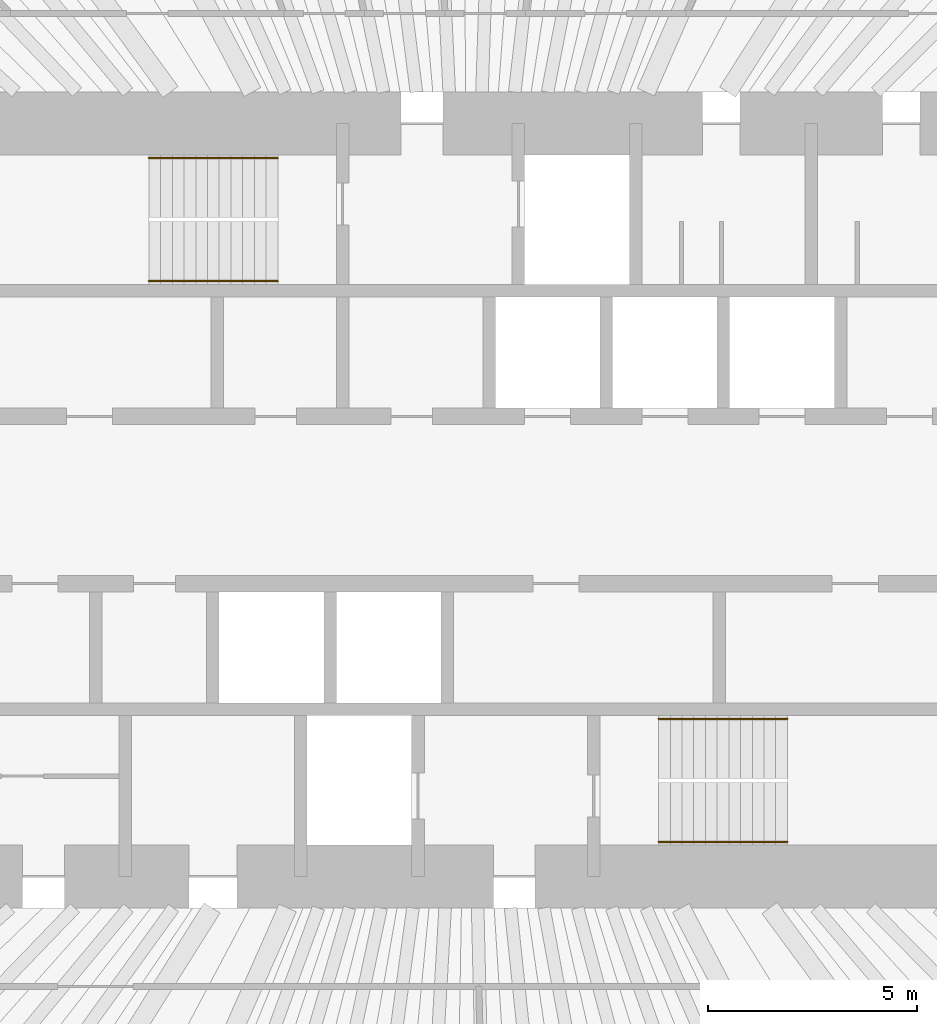
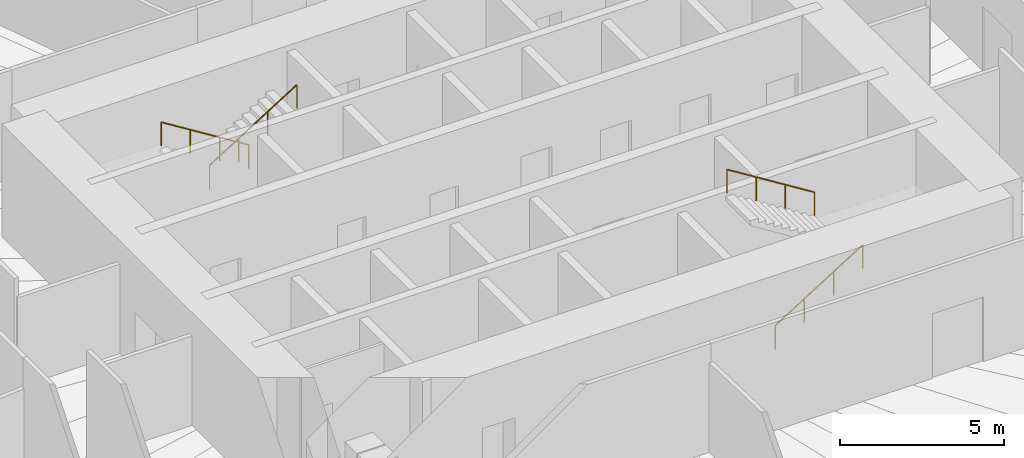
# One storey, part 13 of 13: 4 railings.
"""IFC4 building model written with IfcOpenShell, lengths in metres."""

from ifc_helpers import new_model, si_unit, direction, frame, origin, origin_2d, place, context, subcontext, project, spatial, circle, extrude, material, type_object, element, save


model = new_model("IFC4")

# Units and contexts
model_context = context("Model", 3, precision=1e-05, world=origin(), true_north=direction((0.0, 1.0)))
body_context = subcontext(model_context, "Body", "Model", "MODEL_VIEW")
ifc_project = project(units=[si_unit("LENGTHUNIT", "METRE"), si_unit("AREAUNIT", "SQUARE_METRE"), si_unit("VOLUMEUNIT", "CUBIC_METRE"), si_unit("PLANEANGLEUNIT", "RADIAN"), si_unit("MASSUNIT", "GRAM", prefix="KILO")], contexts=[model_context])

# Site, building, storey
site_placement = place(None, origin())
site = spatial("IfcSite", under=ifc_project, at=site_placement, CompositionType="ELEMENT")
building_placement = place(site_placement, origin())
building = spatial("IfcBuilding", under=site, at=building_placement, Name="Qingtian Harvest Tower", CompositionType="ELEMENT")
storey_placement = place(building_placement, frame((0.0, 0.0, 145.0)))
storey = spatial("IfcBuildingStorey", under=building, at=storey_placement, Name="L30", CompositionType="ELEMENT", Elevation=145.0)

# Railings
ifc_material = material(Name="Stainless steel handrail", Category="steel")
railing_type = type_object("IfcRailingType", Name="Handrail HR1", PredefinedType="HANDRAIL", material=ifc_material)
railing_1_placement = place(storey_placement, frame((-4.550048828125, 8.169921875, 0.175048828125)))
element("IfcRailing", 1, at=railing_1_placement, inside=storey, type_object=railing_type, Name="Handrail HR1 S1 flight 1", PredefinedType="HANDRAIL", context=body_context, shape_type="SweptSolid", body=[
    extrude(circle(Radius=0.02392578125, at=origin_2d()), frame((0.0, 0.0, 0.8759765625), z_axis=(-0.847979421464, 0.0, 0.530029150871), x_axis=(0.0, -1.0, 0.0)), (0.0, 0.0, 1.0), 3.632080078125),
    extrude(circle(Radius=0.02099609375, at=origin_2d()), origin(), (0.0, 0.0, 1.0), 0.851806640625),
    extrude(circle(Radius=0.02099609375, at=origin_2d()), frame((-1.026611328125, 0.0, 0.6416015625)), (0.0, 0.0, 1.0), 0.851806640625),
    extrude(circle(Radius=0.02099609375, at=origin_2d()), frame((-2.05322265625, 0.0, 1.283447265625)), (0.0, 0.0, 1.0), 0.851806640625),
    extrude(circle(Radius=0.02099609375, at=origin_2d()), frame((-3.079833984375, 0.0, 1.925048828125)), (0.0, 0.0, 1.0), 0.851806640625),
])
for number, where, name in (
    (2, (-7.6298828125, 5.22998046875, 2.27490234375), "Handrail HR1 S1 flight 2"),
    (3, (4.550048828125, -8.169921875, 0.175048828125), "Handrail HR1 S2 flight 1"),
):
    element("IfcRailing", number, at=place(storey_placement, frame(where)), inside=storey, type_object=railing_type, Name=name, PredefinedType="HANDRAIL", context=body_context, shape_type="SweptSolid", body=[
        extrude(circle(Radius=0.02392578125, at=origin_2d()), frame((0.0, 0.0, 0.8759765625), z_axis=(0.847979421464, 0.0, 0.530029150871), x_axis=(0.0, 1.0, 0.0)), (0.0, 0.0, 1.0), 3.632080078125),
        extrude(circle(Radius=0.02099609375, at=origin_2d()), origin(), (0.0, 0.0, 1.0), 0.851806640625),
        extrude(circle(Radius=0.02099609375, at=origin_2d()), frame((1.026611328125, 0.0, 0.6416015625)), (0.0, 0.0, 1.0), 0.851806640625),
        extrude(circle(Radius=0.02099609375, at=origin_2d()), frame((2.05322265625, 0.0, 1.283447265625)), (0.0, 0.0, 1.0), 0.851806640625),
        extrude(circle(Radius=0.02099609375, at=origin_2d()), frame((3.079833984375, 0.0, 1.925048828125)), (0.0, 0.0, 1.0), 0.851806640625),
    ])
railing_2_placement = place(storey_placement, frame((7.6298828125, -5.22998046875, 2.27490234375)))
element("IfcRailing", 4, at=railing_2_placement, inside=storey, type_object=railing_type, Name="Handrail HR1 S2 flight 2", PredefinedType="HANDRAIL", context=body_context, shape_type="SweptSolid", body=[
    extrude(circle(Radius=0.02392578125, at=origin_2d()), frame((0.0, 0.0, 0.8759765625), z_axis=(-0.847979421464, 0.0, 0.530029150871), x_axis=(0.0, -1.0, 0.0)), (0.0, 0.0, 1.0), 3.632080078125),
    extrude(circle(Radius=0.02099609375, at=origin_2d()), origin(), (0.0, 0.0, 1.0), 0.851806640625),
    extrude(circle(Radius=0.02099609375, at=origin_2d()), frame((-1.026611328125, 0.0, 0.6416015625)), (0.0, 0.0, 1.0), 0.851806640625),
    extrude(circle(Radius=0.02099609375, at=origin_2d()), frame((-2.05322265625, 0.0, 1.283447265625)), (0.0, 0.0, 1.0), 0.851806640625),
    extrude(circle(Radius=0.02099609375, at=origin_2d()), frame((-3.079833984375, 0.0, 1.925048828125)), (0.0, 0.0, 1.0), 0.851806640625),
])

save(model, "model.ifc")
